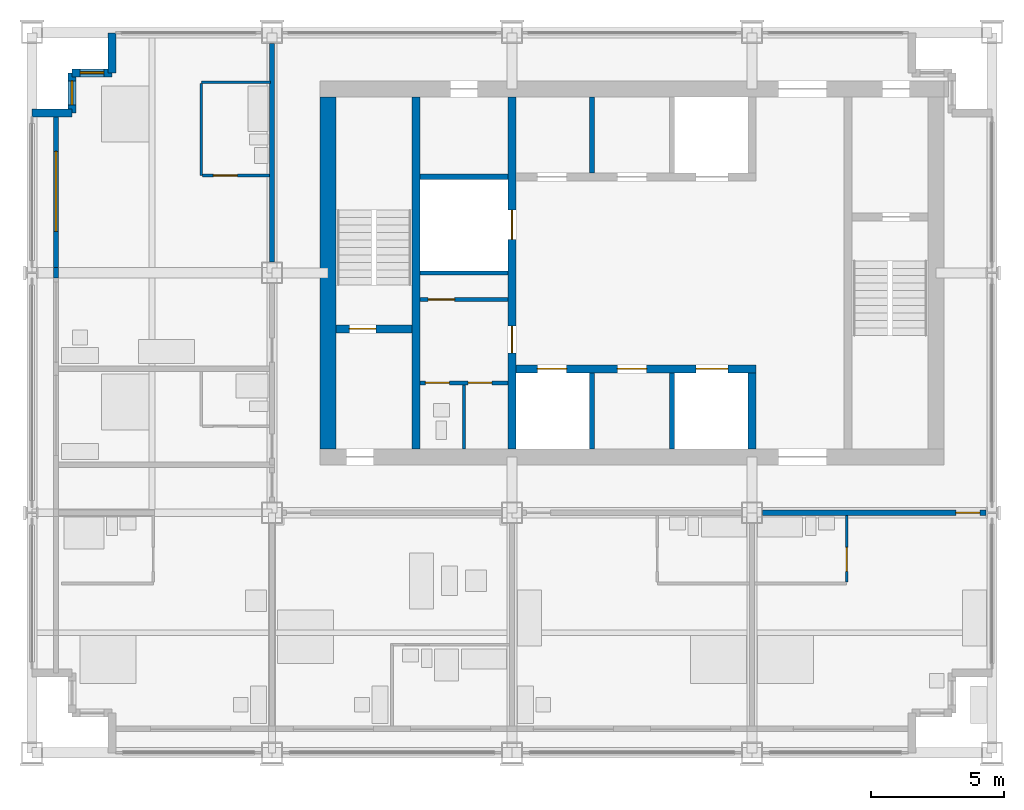
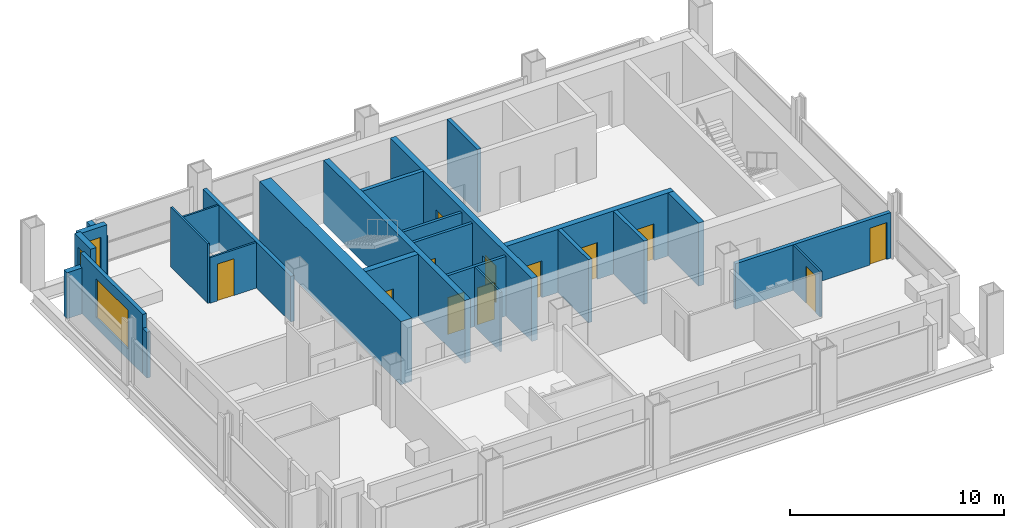
# One storey, part 7 of 11: 26 walls, 12 doors, 3 windows, 15 openings.
"""IFC4 building model written with IfcOpenShell, lengths in metres."""

from ifc_helpers import new_model, si_unit, direction, frame, frame_2d, origin, place, context, subcontext, project, spatial, rectangle, extrude, material, layer, layer_set, type_object, element, fill, save


model = new_model("IFC4")

# Units and contexts
model_context = context("Model", 3, precision=1e-05, world=origin(), true_north=direction((0.0, 1.0)))
body_context = subcontext(model_context, "Body", "Model", "MODEL_VIEW")
ifc_project = project(units=[si_unit("LENGTHUNIT", "METRE"), si_unit("AREAUNIT", "SQUARE_METRE"), si_unit("VOLUMEUNIT", "CUBIC_METRE"), si_unit("PLANEANGLEUNIT", "RADIAN"), si_unit("MASSUNIT", "GRAM", prefix="KILO")], contexts=[model_context])

# Site, building, storey
site_placement = place(None, origin())
site = spatial("IfcSite", under=ifc_project, at=site_placement, CompositionType="ELEMENT")
building_placement = place(site_placement, origin())
building = spatial("IfcBuilding", under=site, at=building_placement, Name="Loomwork Tower", CompositionType="ELEMENT")
storey_placement = place(building_placement, frame((0.0, 0.0, 244.60009765625)))
storey = spatial("IfcBuildingStorey", under=building, at=storey_placement, Name="L67", CompositionType="ELEMENT", Elevation=244.60009765625)

# Wall
ifc_material_1 = material(Name="Concrete 14000 psi (97 MPa)", Category="concrete")
ifc_layer_1 = layer(ifc_material_1, 0.300048828125)
ifc_layer_set_1 = layer_set([ifc_layer_1], Name="Core shear wall 300")
wall_type_1 = type_object("IfcWallType", Name="Core shear wall 300", PredefinedType="SHEAR", material=ifc_layer_set_1)
wall_1_placement = place(storey_placement, frame((14.39990234375, 11.39990234375, 0.0), z_axis=(0.0, 0.0, 1.0), x_axis=(0.0, 1.0, 0.0)))
element("IfcWall", 1, at=wall_1_placement, inside=storey, type_object=wall_type_1, Name="Stair A east wall L67", PredefinedType="SHEAR", context=body_context, shape_type="SweptSolid", body=[
    extrude(rectangle(XDim=13.2001953125, YDim=0.300048828125, at=frame_2d((6.60009765625, 0.0))), origin(), (0.0, 0.0, 1.0), 3.599853515625),
])

# Wall, opening, door
wall_2_placement = place(storey_placement, frame((11.39990234375, 15.89990234375, 0.0), z_axis=(0.0, 0.0, 1.0), x_axis=(1.0, 0.0, 0.0)))
wall_2 = element("IfcWall", 2, at=wall_2_placement, inside=storey, type_object=wall_type_1, Name="Stair A south wall L67", PredefinedType="SHEAR", context=body_context, shape_type="SweptSolid", body=[
    extrude(rectangle(XDim=2.85009765625, YDim=0.300048828125, at=frame_2d((1.425048828125, 0.0))), origin(), (0.0, 0.0, 1.0), 3.599853515625),
])
opening_1_placement = place(wall_2_placement, frame((0.5, 0.0, 0.0)))
opening_1 = element("IfcOpeningElement", 3, at=opening_1_placement, cuts=wall_2, Name="Opening D4", PredefinedType="OPENING", context=body_context, shape_type="SweptSolid", body=[
    extrude(rectangle(XDim=1.0, YDim=2.10009765625, at=frame_2d((0.5, 1.050048828125))), frame((0.0, 0.159912109375, 0.0), z_axis=(0.0, -1.0, 0.0), x_axis=(1.0, 0.0, 0.0)), (0.0, 0.0, 1.0), 0.320068359375),
])
ifc_material_2 = material(Name="Hollow metal door and frame")
door_type_1 = type_object("IfcDoorType", Name="Stair door 1000", OperationType="SINGLE_SWING_RIGHT", PredefinedType="DOOR", material=ifc_material_2)
door_1_placement = place(opening_1_placement, origin())
door_1 = element("IfcDoor", 4, at=door_1_placement, inside=storey, type_object=door_type_1, Name="Stair A door", OperationType="SINGLE_SWING_LEFT", OverallHeight=2.10009765625, OverallWidth=1.0, PredefinedType="DOOR", context=body_context, shape_type="SweptSolid", body=[
    extrude(rectangle(XDim=1.0, YDim=2.10009765625, at=frame_2d((0.5, 1.050048828125))), frame((0.0, 0.02490234375, 0.0), z_axis=(0.0, -1.0, 0.0), x_axis=(1.0, 0.0, 0.0)), (0.0, 0.0, 1.0), 0.050048828125),
])
fill(opening_1, door_1)

# Wall, openings, doors
wall_3_placement = place(storey_placement, frame((18.0, 11.39990234375, 0.0), z_axis=(0.0, 0.0, 1.0), x_axis=(0.0, 1.0, 0.0)))
wall_3 = element("IfcWall", 5, at=wall_3_placement, inside=storey, type_object=wall_type_1, Name="Lobby west wall L67", PredefinedType="SHEAR", context=body_context, shape_type="SweptSolid", body=[
    extrude(rectangle(XDim=13.2001953125, YDim=0.300048828125, at=frame_2d((6.60009765625, 0.0))), origin(), (0.0, 0.0, 1.0), 3.599853515625),
])
opening_2_placement = place(wall_3_placement, frame((3.60009765625, 0.0, 0.0)))
opening_2 = element("IfcOpeningElement", 6, at=opening_2_placement, cuts=wall_3, Name="Opening D5", PredefinedType="OPENING", context=body_context, shape_type="SweptSolid", body=[
    extrude(rectangle(XDim=1.0, YDim=2.10009765625, at=frame_2d((0.5, 1.050048828125))), frame((0.0, 0.159912109375, 0.0), z_axis=(0.0, -1.0, 0.0), x_axis=(1.0, 0.0, 0.0)), (0.0, 0.0, 1.0), 0.320068359375),
])
opening_3_placement = place(wall_3_placement, frame((7.85009765625, 0.0, 0.0)))
opening_3 = element("IfcOpeningElement", 7, at=opening_3_placement, cuts=wall_3, Name="Opening LD1", PredefinedType="OPENING", context=body_context, shape_type="SweptSolid", body=[
    extrude(rectangle(XDim=1.10009765625, YDim=2.10009765625, at=frame_2d((0.550048828125, 1.050048828125))), frame((0.0, 0.159912109375, 0.0), z_axis=(0.0, -1.0, 0.0), x_axis=(1.0, 0.0, 0.0)), (0.0, 0.0, 1.0), 0.320068359375),
])
ifc_material_3 = material(Name="Hollow metal door and frame")
door_type_2 = type_object("IfcDoorType", Name="Lift landing door 1100", OperationType="SLIDING_TO_LEFT", PredefinedType="DOOR", material=ifc_material_3)
door_2_placement = place(opening_3_placement, origin())
door_2 = element("IfcDoor", 8, at=door_2_placement, inside=storey, type_object=door_type_2, Name="Lift landing door LC2", OperationType="SLIDING_TO_LEFT", OverallHeight=2.10009765625, OverallWidth=1.10009765625, PredefinedType="DOOR", context=body_context, shape_type="SweptSolid", body=[
    extrude(rectangle(XDim=1.10009765625, YDim=2.10009765625, at=frame_2d((0.550048828125, 1.050048828125))), frame((0.0, 0.02490234375, 0.0), z_axis=(0.0, -1.0, 0.0), x_axis=(1.0, 0.0, 0.0)), (0.0, 0.0, 1.0), 0.050048828125),
])
fill(opening_3, door_2)
ifc_material_4 = material(Name="Hollow metal door and frame")
door_type_3 = type_object("IfcDoorType", Name="Service door 1000", OperationType="SINGLE_SWING_LEFT", PredefinedType="DOOR", material=ifc_material_4)
door_3_placement = place(opening_2_placement, origin())
door_3 = element("IfcDoor", 9, at=door_3_placement, inside=storey, type_object=door_type_3, Name="Back-of-house door south", OperationType="SINGLE_SWING_LEFT", OverallHeight=2.10009765625, OverallWidth=1.0, PredefinedType="DOOR", context=body_context, shape_type="SweptSolid", body=[
    extrude(rectangle(XDim=1.0, YDim=2.10009765625, at=frame_2d((0.5, 1.050048828125))), frame((0.0, 0.02490234375, 0.0), z_axis=(0.0, -1.0, 0.0), x_axis=(1.0, 0.0, 0.0)), (0.0, 0.0, 1.0), 0.050048828125),
])
fill(opening_2, door_3)

wall_4_placement = place(storey_placement, frame((18.14990234375, 14.39990234375, 0.0), z_axis=(0.0, 0.0, 1.0), x_axis=(1.0, 0.0, 0.0)))
wall_4 = element("IfcWall", 10, at=wall_4_placement, inside=storey, type_object=wall_type_1, Name="Lift front wall south L67", PredefinedType="SHEAR", context=body_context, shape_type="SweptSolid", body=[
    extrude(rectangle(XDim=9.0, YDim=0.300048828125, at=frame_2d((4.5, 0.0))), origin(), (0.0, 0.0, 1.0), 3.599853515625),
])
opening_4_placement = place(wall_4_placement, frame((0.800048828125, 0.0, 0.0)))
opening_4 = element("IfcOpeningElement", 11, at=opening_4_placement, cuts=wall_4, Name="Opening LD1", PredefinedType="OPENING", context=body_context, shape_type="SweptSolid", body=[
    extrude(rectangle(XDim=1.10009765625, YDim=2.10009765625, at=frame_2d((0.550048828125, 1.050048828125))), frame((0.0, 0.159912109375, 0.0), z_axis=(0.0, -1.0, 0.0), x_axis=(1.0, 0.0, 0.0)), (0.0, 0.0, 1.0), 0.320068359375),
])
opening_5_placement = place(wall_4_placement, frame((6.75, 0.0, 0.0)))
opening_5 = element("IfcOpeningElement", 12, at=opening_5_placement, cuts=wall_4, Name="Opening LD2", PredefinedType="OPENING", context=body_context, shape_type="SweptSolid", body=[
    extrude(rectangle(XDim=1.199951171875, YDim=2.10009765625, at=frame_2d((0.60009765625, 1.050048828125))), frame((0.0, 0.159912109375, 0.0), z_axis=(0.0, -1.0, 0.0), x_axis=(1.0, 0.0, 0.0)), (0.0, 0.0, 1.0), 0.320068359375),
])
opening_6_placement = place(wall_4_placement, frame((3.800048828125, 0.0, 0.0)))
opening_6 = element("IfcOpeningElement", 13, at=opening_6_placement, cuts=wall_4, Name="Opening D17", PredefinedType="OPENING", context=body_context, shape_type="SweptSolid", body=[
    extrude(rectangle(XDim=1.10009765625, YDim=2.10009765625, at=frame_2d((0.550048828125, 1.050048828125))), frame((0.0, 0.159912109375, 0.0), z_axis=(0.0, -1.0, 0.0), x_axis=(1.0, 0.0, 0.0)), (0.0, 0.0, 1.0), 0.320068359375),
])
door_4_placement = place(opening_4_placement, origin())
door_4 = element("IfcDoor", 14, at=door_4_placement, inside=storey, type_object=door_type_2, Name="Lift landing door LC1", OperationType="SLIDING_TO_LEFT", OverallHeight=2.10009765625, OverallWidth=1.10009765625, PredefinedType="DOOR", context=body_context, shape_type="SweptSolid", body=[
    extrude(rectangle(XDim=1.10009765625, YDim=2.10009765625, at=frame_2d((0.550048828125, 1.050048828125))), frame((0.0, 0.02490234375, 0.0), z_axis=(0.0, -1.0, 0.0), x_axis=(1.0, 0.0, 0.0)), (0.0, 0.0, 1.0), 0.050048828125),
])
fill(opening_4, door_4)
ifc_material_5 = material(Name="Hollow metal door and frame")
door_type_4 = type_object("IfcDoorType", Name="Lift landing door 1200", OperationType="SLIDING_TO_LEFT", PredefinedType="DOOR", material=ifc_material_5)
door_5_placement = place(opening_5_placement, origin())
door_5 = element("IfcDoor", 15, at=door_5_placement, inside=storey, type_object=door_type_4, Name="Lift landing door LF1", OperationType="SLIDING_TO_LEFT", OverallHeight=2.10009765625, OverallWidth=1.199951171875, PredefinedType="DOOR", context=body_context, shape_type="SweptSolid", body=[
    extrude(rectangle(XDim=1.199951171875, YDim=2.10009765625, at=frame_2d((0.60009765625, 1.050048828125))), frame((0.0, 0.02490234375, 0.0), z_axis=(0.0, -1.0, 0.0), x_axis=(1.0, 0.0, 0.0)), (0.0, 0.0, 1.0), 0.050048828125),
])
fill(opening_5, door_5)
ifc_material_6 = material(Name="Hollow metal door and frame")
door_type_5 = type_object("IfcDoorType", Name="Service room door 1100", OperationType="SINGLE_SWING_LEFT", PredefinedType="DOOR", material=ifc_material_6)
door_6_placement = place(opening_6_placement, frame((1.10009765625, 0.0, 0.0), z_axis=(0.0, 0.0, 1.0), x_axis=(-1.0, 0.0, 0.0)))
door_6 = element("IfcDoor", 16, at=door_6_placement, inside=storey, type_object=door_type_5, Name="Storage room door L67", OperationType="SINGLE_SWING_RIGHT", OverallHeight=2.10009765625, OverallWidth=1.10009765625, PredefinedType="DOOR", context=body_context, shape_type="SweptSolid", body=[
    extrude(rectangle(XDim=1.10009765625, YDim=2.10009765625, at=frame_2d((0.550048828125, 1.050048828125))), frame((0.0, 0.02490234375, 0.0), z_axis=(0.0, -1.0, 0.0), x_axis=(1.0, 0.0, 0.0)), (0.0, 0.0, 1.0), 0.050048828125),
])
fill(opening_6, door_6)

# Walls
wall_5_placement = place(storey_placement, frame((27.0, 11.39990234375, 0.0), z_axis=(0.0, 0.0, 1.0), x_axis=(0.0, 1.0, 0.0)))
element("IfcWall", 17, at=wall_5_placement, inside=storey, type_object=wall_type_1, Name="Lift shaft end wall south L67", PredefinedType="SHEAR", context=body_context, shape_type="SweptSolid", body=[
    extrude(rectangle(XDim=2.85009765625, YDim=0.300048828125, at=frame_2d((1.425048828125, 0.0))), origin(), (0.0, 0.0, 1.0), 3.599853515625),
])
ifc_material_7 = material(Name="Concrete 14000 psi (97 MPa)", Category="concrete")
ifc_layer_2 = layer(ifc_material_7, 0.60009765625)
ifc_layer_set_2 = layer_set([ifc_layer_2], Name="Core shear wall 600")
wall_type_2 = type_object("IfcWallType", Name="Core shear wall 600", PredefinedType="SHEAR", material=ifc_layer_set_2)
wall_6_placement = place(storey_placement, frame((11.10009765625, 11.39990234375, 0.0), z_axis=(0.0, 0.0, 1.0), x_axis=(0.0, 1.0, 0.0)))
element("IfcWall", 18, at=wall_6_placement, inside=storey, type_object=wall_type_2, Name="Core wall west L67", PredefinedType="SHEAR", context=body_context, shape_type="SweptSolid", body=[
    extrude(rectangle(XDim=13.2001953125, YDim=0.60009765625, at=frame_2d((6.60009765625, 0.0))), origin(), (0.0, 0.0, 1.0), 3.599853515625),
])

# Wall, opening, door
ifc_material_8 = material(Name="Gypsum board on steel studs, one-hour", Category="steel")
ifc_layer_3 = layer(ifc_material_8, 0.199951171875)
ifc_layer_set_3 = layer_set([ifc_layer_3], Name="Corridor wall 200")
wall_type_3 = type_object("IfcWallType", Name="Corridor wall 200", PredefinedType="PARTITIONING", material=ifc_layer_set_3)
wall_7_placement = place(storey_placement, frame((27.39990234375, 9.0, 0.0), z_axis=(0.0, 0.0, 1.0), x_axis=(1.0, 0.0, 0.0)))
wall_7 = element("IfcWall", 19, at=wall_7_placement, inside=storey, type_object=wall_type_3, Name="South corridor wall 4", PredefinedType="PARTITIONING", context=body_context, shape_type="SweptSolid", body=[
    extrude(rectangle(XDim=8.36767578125, YDim=0.199951171875, at=frame_2d((4.183837890625, 0.0))), origin(), (0.0, 0.0, 1.0), 2.60498046875),
])
opening_7_placement = place(wall_7_placement, frame((7.25, 0.0, 0.0)))
opening_7 = element("IfcOpeningElement", 20, at=opening_7_placement, cuts=wall_7, Name="Opening D1", PredefinedType="OPENING", context=body_context, shape_type="SweptSolid", body=[
    extrude(rectangle(XDim=0.89990234375, YDim=2.10009765625, at=frame_2d((0.449951171875, 1.050048828125))), frame((0.0, 0.10986328125, 0.0), z_axis=(0.0, -1.0, 0.0), x_axis=(1.0, 0.0, 0.0)), (0.0, 0.0, 1.0), 0.219970703125),
])
ifc_material_9 = material(Name="Hollow metal door and frame")
door_type_6 = type_object("IfcDoorType", Name="Guest room entry door 900", OperationType="SINGLE_SWING_LEFT", PredefinedType="DOOR", material=ifc_material_9)
door_7_placement = place(opening_7_placement, frame((0.89990234375, 0.0, 0.0), z_axis=(0.0, 0.0, 1.0), x_axis=(-1.0, 0.0, 0.0)))
door_7 = element("IfcDoor", 21, at=door_7_placement, inside=storey, type_object=door_type_6, Name="Guest room entry door L67 4", OperationType="SINGLE_SWING_RIGHT", OverallHeight=2.10009765625, OverallWidth=0.89990234375, PredefinedType="DOOR", context=body_context, shape_type="SweptSolid", body=[
    extrude(rectangle(XDim=0.89990234375, YDim=2.10009765625, at=frame_2d((0.449951171875, 1.050048828125))), frame((0.0, 0.02490234375, 0.0), z_axis=(0.0, -1.0, 0.0), x_axis=(1.0, 0.0, 0.0)), (0.0, 0.0, 1.0), 0.050048828125),
])
fill(opening_7, door_7)

# Wall
wall_8_placement = place(storey_placement, frame((9.0, 18.39990234375, 0.0), z_axis=(0.0, 0.0, 1.0), x_axis=(0.0, 1.0, 0.0)))
element("IfcWall", 22, at=wall_8_placement, inside=storey, type_object=wall_type_3, Name="West corridor wall 2", PredefinedType="PARTITIONING", context=body_context, shape_type="SweptSolid", body=[
    extrude(rectangle(XDim=8.2001953125, YDim=0.199951171875, at=frame_2d((4.10009765625, 0.0))), origin(), (0.0, 0.0, 1.0), 2.60498046875),
])

# Wall, opening, door
ifc_material_10 = material(Name="Cement board on steel studs", Category="steel")
ifc_layer_4 = layer(ifc_material_10, 0.10009765625)
ifc_layer_set_4 = layer_set([ifc_layer_4], Name="En-suite partition 100")
wall_type_4 = type_object("IfcWallType", Name="En-suite partition 100", PredefinedType="PARTITIONING", material=ifc_layer_set_4)
wall_9_placement = place(storey_placement, frame((30.550048828125, 8.89990234375, 0.0), z_axis=(0.0, 0.0, 1.0), x_axis=(0.0, -1.0, 0.0)))
wall_9 = element("IfcWall", 23, at=wall_9_placement, inside=storey, type_object=wall_type_4, Name="En-suite side wall L67 room 4", PredefinedType="PARTITIONING", context=body_context, shape_type="SweptSolid", body=[
    extrude(rectangle(XDim=2.5, YDim=0.10009765625, at=frame_2d((1.25, 0.0))), origin(), (0.0, 0.0, 1.0), 2.60400390625),
])
opening_8_placement = place(wall_9_placement, frame((1.199951171875, 0.0, 0.0)))
opening_8 = element("IfcOpeningElement", 24, at=opening_8_placement, cuts=wall_9, Name="Opening D2", PredefinedType="OPENING", context=body_context, shape_type="SweptSolid", body=[
    extrude(rectangle(XDim=0.89990234375, YDim=2.10009765625, at=frame_2d((0.449951171875, 1.050048828125))), frame((0.0, 0.06005859375, 0.0), z_axis=(0.0, -1.0, 0.0), x_axis=(1.0, 0.0, 0.0)), (0.0, 0.0, 1.0), 0.1201171875),
])
ifc_material_11 = material(Name="Hollow metal door and frame")
door_type_7 = type_object("IfcDoorType", Name="En-suite door 900", OperationType="SINGLE_SWING_LEFT", PredefinedType="DOOR", material=ifc_material_11)
door_8_placement = place(opening_8_placement, frame((0.89990234375, 0.0, 0.0), z_axis=(0.0, 0.0, 1.0), x_axis=(-1.0, 0.0, 0.0)))
door_8 = element("IfcDoor", 25, at=door_8_placement, inside=storey, type_object=door_type_7, Name="En-suite door room 4", OperationType="SINGLE_SWING_LEFT", OverallHeight=2.10009765625, OverallWidth=0.89990234375, PredefinedType="DOOR", context=body_context, shape_type="SweptSolid", body=[
    extrude(rectangle(XDim=0.89990234375, YDim=2.10009765625, at=frame_2d((0.449951171875, 1.050048828125))), frame((0.0, 0.02490234375, 0.0), z_axis=(0.0, -1.0, 0.0), x_axis=(1.0, 0.0, 0.0)), (0.0, 0.0, 1.0), 0.050048828125),
])
fill(opening_8, door_8)

# Wall
wall_10_placement = place(storey_placement, frame((6.35009765625, 21.64990234375, 0.0), z_axis=(0.0, 0.0, 1.0), x_axis=(0.0, 1.0, 0.0)))
element("IfcWall", 26, at=wall_10_placement, inside=storey, type_object=wall_type_4, Name="En-suite wall L67 room 6", PredefinedType="PARTITIONING", context=body_context, shape_type="SweptSolid", body=[
    extrude(rectangle(XDim=3.4501953125, YDim=0.10009765625, at=frame_2d((1.72509765625, 0.0))), origin(), (0.0, 0.0, 1.0), 3.39990234375),
])

# Wall, opening, door
wall_11_placement = place(storey_placement, frame((8.89990234375, 21.64990234375, 0.0), z_axis=(0.0, 0.0, 1.0), x_axis=(-1.0, 0.0, 0.0)))
wall_11 = element("IfcWall", 27, at=wall_11_placement, inside=storey, type_object=wall_type_4, Name="En-suite side wall L67 room 6", PredefinedType="PARTITIONING", context=body_context, shape_type="SweptSolid", body=[
    extrude(rectangle(XDim=2.5, YDim=0.10009765625, at=frame_2d((1.25, 0.0))), origin(), (0.0, 0.0, 1.0), 2.60400390625),
])
opening_9_placement = place(wall_11_placement, frame((1.199951171875, 0.0, 0.0)))
opening_9 = element("IfcOpeningElement", 28, at=opening_9_placement, cuts=wall_11, Name="Opening D2", PredefinedType="OPENING", context=body_context, shape_type="SweptSolid", body=[
    extrude(rectangle(XDim=0.89990234375, YDim=2.10009765625, at=frame_2d((0.449951171875, 1.050048828125))), frame((0.0, 0.06005859375, 0.0), z_axis=(0.0, -1.0, 0.0), x_axis=(1.0, 0.0, 0.0)), (0.0, 0.0, 1.0), 0.1201171875),
])
door_9_placement = place(opening_9_placement, frame((0.89990234375, 0.0, 0.0), z_axis=(0.0, 0.0, 1.0), x_axis=(-1.0, 0.0, 0.0)))
door_9 = element("IfcDoor", 29, at=door_9_placement, inside=storey, type_object=door_type_7, Name="En-suite door room 6", OperationType="SINGLE_SWING_LEFT", OverallHeight=2.10009765625, OverallWidth=0.89990234375, PredefinedType="DOOR", context=body_context, shape_type="SweptSolid", body=[
    extrude(rectangle(XDim=0.89990234375, YDim=2.10009765625, at=frame_2d((0.449951171875, 1.050048828125))), frame((0.0, 0.02490234375, 0.0), z_axis=(0.0, -1.0, 0.0), x_axis=(1.0, 0.0, 0.0)), (0.0, 0.0, 1.0), 0.050048828125),
])
fill(opening_9, door_9)

# Walls
wall_12_placement = place(storey_placement, frame((6.35009765625, 25.14990234375, 0.0), z_axis=(0.0, 0.0, 1.0), x_axis=(1.0, 0.0, 0.0)))
element("IfcWall", 30, at=wall_12_placement, inside=storey, type_object=wall_type_4, Name="En-suite wall L67 stub", PredefinedType="PARTITIONING", context=body_context, shape_type="SweptSolid", body=[
    extrude(rectangle(XDim=2.599853515625, YDim=0.10009765625, at=frame_2d((1.2998046875, 0.0))), origin(), (0.0, 0.0, 1.0), 2.60400390625),
])
wall_13_placement = place(storey_placement, frame((16.199951171875, 11.39990234375, 0.0), z_axis=(0.0, 0.0, 1.0), x_axis=(0.0, 1.0, 0.0)))
element("IfcWall", 31, at=wall_13_placement, inside=storey, type_object=wall_type_4, Name="Back-of-house partition L67 2", PredefinedType="PARTITIONING", context=body_context, shape_type="SweptSolid", body=[
    extrude(rectangle(XDim=2.400146484375, YDim=0.10009765625, at=frame_2d((1.2001953125, 0.0))), origin(), (0.0, 0.0, 1.0), 3.39990234375),
])
ifc_material_12 = material(Name="Insulated steel stud wall with gypsum lining", Category="steel")
ifc_layer_5 = layer(ifc_material_12, 0.199951171875)
ifc_layer_set_5 = layer_set([ifc_layer_5], Name="Inner skin wall 200")
wall_type_5 = type_object("IfcWallType", Name="Inner skin wall 200", PredefinedType="SOLIDWALL", material=ifc_layer_set_5)
wall_14_placement = place(storey_placement, frame((0.89990234375, 17.80615234375, 0.0), z_axis=(0.0, 0.0, 1.0), x_axis=(0.0, 1.0, 0.0)))
element("IfcWall", 32, at=wall_14_placement, inside=storey, type_object=wall_type_5, Name="Inner skin wall W bay 6", PredefinedType="SOLIDWALL", context=body_context, shape_type="SweptSolid", body=[
    extrude(rectangle(XDim=0.3876953125, YDim=0.199951171875, at=frame_2d((0.19384765625, 0.0))), origin(), (0.0, 0.0, 1.0), 2.60400390625),
])

# Wall, opening, window
wall_15_placement = place(storey_placement, frame((0.89990234375, 18.19384765625, 0.0), z_axis=(0.0, 0.0, 1.0), x_axis=(0.0, 1.0, 0.0)))
wall_15 = element("IfcWall", 33, at=wall_15_placement, inside=storey, type_object=wall_type_5, Name="Inner skin wall W bay 7", PredefinedType="SOLIDWALL", context=body_context, shape_type="SweptSolid", body=[
    extrude(rectangle(XDim=5.80615234375, YDim=0.199951171875, at=frame_2d((2.903076171875, 0.0))), origin(), (0.0, 0.0, 1.0), 3.39990234375),
])
opening_10_placement = place(wall_15_placement, frame((1.356201171875, 0.0, 0.60009765625)))
opening_10 = element("IfcOpeningElement", 34, at=opening_10_placement, cuts=wall_15, Name="Opening CH1", PredefinedType="OPENING", context=body_context, shape_type="SweptSolid", body=[
    extrude(rectangle(XDim=3.0, YDim=2.199951171875, at=frame_2d((1.5, 1.10009765625))), frame((0.0, 0.10986328125, 0.0), z_axis=(0.0, -1.0, 0.0), x_axis=(1.0, 0.0, 0.0)), (0.0, 0.0, 1.0), 0.219970703125),
])
ifc_material_13 = material(Name="Aluminium frame with clear insulated glass", Category="aluminium")
window_type_1 = type_object("IfcWindowType", Name="Chicago window 3000", PartitioningType="TRIPLE_PANEL_VERTICAL", PredefinedType="WINDOW", material=ifc_material_13)
window_1_placement = place(opening_10_placement, origin())
window_1 = element("IfcWindow", 35, at=window_1_placement, inside=storey, type_object=window_type_1, Name="Chicago window L67 bay 6", OverallHeight=2.199951171875, OverallWidth=3.0, PartitioningType="TRIPLE_PANEL_VERTICAL", PredefinedType="WINDOW", context=body_context, shape_type="SweptSolid", body=[
    extrude(rectangle(XDim=3.0, YDim=2.199951171875, at=frame_2d((1.5, 1.10009765625))), frame((0.0, 0.030029296875, 0.0), z_axis=(0.0, -1.0, 0.0), x_axis=(1.0, 0.0, 0.0)), (0.0, 0.0, 1.0), 0.06005859375),
])
fill(opening_10, window_1)

# Walls
ifc_material_14 = material(Name="Concrete 14000 psi (97 MPa)", Category="concrete")
ifc_layer_6 = layer(ifc_material_14, 0.199951171875)
ifc_layer_set_6 = layer_set([ifc_layer_6], Name="Lift shaft wall 200")
wall_type_6 = type_object("IfcWallType", Name="Lift shaft wall 200", PredefinedType="SHEAR", material=ifc_layer_set_6)
for number, where, z_axis, x_axis, name in (
    (36, (21.0, 11.39990234375, 0.0), (0.0, 0.0, 1.0), (0.0, 1.0, 0.0), "Lift shaft separation wall south 1 L67"),
    (37, (24.0, 11.39990234375, 0.0), (0.0, 0.0, 1.0), (0.0, 1.0, 0.0), "Lift shaft separation wall south 2 L67"),
    (38, (21.0, 21.75, 0.0), (0.0, 0.0, 1.0), (0.0, 1.0, 0.0), "Lift shaft separation wall north 1 L67"),
):
    element("IfcWall", number, at=place(storey_placement, frame(where, z_axis=z_axis, x_axis=x_axis)), inside=storey, type_object=wall_type_6, Name=name, PredefinedType="SHEAR", context=body_context, shape_type="SweptSolid", body=[
        extrude(rectangle(XDim=2.85009765625, YDim=0.199951171875, at=frame_2d((1.425048828125, 0.0))), origin(), (0.0, 0.0, 1.0), 3.599853515625),
    ])
wall_16_placement = place(storey_placement, frame((14.550048828125, 21.60009765625, 0.0), z_axis=(0.0, 0.0, 1.0), x_axis=(1.0, 0.0, 0.0)))
element("IfcWall", 39, at=wall_16_placement, inside=storey, type_object=wall_type_6, Name="Lift shaft wall west north L67", PredefinedType="SHEAR", context=body_context, shape_type="SweptSolid", body=[
    extrude(rectangle(XDim=3.300048828125, YDim=0.199951171875, at=frame_2d((1.64990234375, 0.0))), origin(), (0.0, 0.0, 1.0), 3.599853515625),
])
ifc_material_15 = material(Name="Limestone on concrete masonry", Category="masonry")
ifc_layer_7 = layer(ifc_material_15, 0.300048828125)
ifc_layer_set_7 = layer_set([ifc_layer_7], Name="Limestone corner wall 300")
wall_type_7 = type_object("IfcWallType", Name="Limestone corner wall 300", PredefinedType="SOLIDWALL", material=ifc_layer_set_7)
wall_17_placement = place(storey_placement, frame((3.0, 27.0, 0.0), z_axis=(0.0, 0.0, 1.0), x_axis=(0.0, -1.0, 0.0)))
element("IfcWall", 40, at=wall_17_placement, inside=storey, type_object=wall_type_7, Name="Stone corner wall NW 1", PredefinedType="SOLIDWALL", context=body_context, shape_type="SweptSolid", body=[
    extrude(rectangle(XDim=1.5, YDim=0.300048828125, at=frame_2d((0.75, 0.0))), origin(), (0.0, 0.0, 1.0), 2.619873046875),
])

# Wall, opening, window
wall_18_placement = place(storey_placement, frame((3.0, 25.5, 0.0), z_axis=(0.0, 0.0, 1.0), x_axis=(-1.0, 0.0, 0.0)))
wall_18 = element("IfcWall", 41, at=wall_18_placement, inside=storey, type_object=wall_type_7, Name="Stone corner wall NW 2", PredefinedType="SOLIDWALL", context=body_context, shape_type="SweptSolid", body=[
    extrude(rectangle(XDim=1.5, YDim=0.300048828125, at=frame_2d((0.75, 0.0))), origin(), (0.0, 0.0, 1.0), 3.39990234375),
])
opening_11_placement = place(wall_18_placement, frame((0.300048828125, 0.0, 0.60009765625)))
opening_11 = element("IfcOpeningElement", 42, at=opening_11_placement, cuts=wall_18, Name="Opening CH2", PredefinedType="OPENING", context=body_context, shape_type="SweptSolid", body=[
    extrude(rectangle(XDim=0.89990234375, YDim=2.199951171875, at=frame_2d((0.449951171875, 1.10009765625))), frame((0.0, 0.159912109375, 0.0), z_axis=(0.0, -1.0, 0.0), x_axis=(1.0, 0.0, 0.0)), (0.0, 0.0, 1.0), 0.320068359375),
])
ifc_material_16 = material(Name="Aluminium frame with clear insulated glass", Category="aluminium")
window_type_2 = type_object("IfcWindowType", Name="Corner window 900", PartitioningType="SINGLE_PANEL", PredefinedType="WINDOW", material=ifc_material_16)
window_2_placement = place(opening_11_placement, origin())
window_2 = element("IfcWindow", 43, at=window_2_placement, inside=storey, type_object=window_type_2, Name="Corner window NW", OverallHeight=2.199951171875, OverallWidth=0.89990234375, PartitioningType="SINGLE_PANEL", PredefinedType="WINDOW", context=body_context, shape_type="SweptSolid", body=[
    extrude(rectangle(XDim=0.89990234375, YDim=2.199951171875, at=frame_2d((0.449951171875, 1.10009765625))), frame((0.0, 0.030029296875, 0.0), z_axis=(0.0, -1.0, 0.0), x_axis=(1.0, 0.0, 0.0)), (0.0, 0.0, 1.0), 0.06005859375),
])
fill(opening_11, window_2)

wall_19_placement = place(storey_placement, frame((1.5, 25.5, 0.0), z_axis=(0.0, 0.0, 1.0), x_axis=(0.0, -1.0, 0.0)))
wall_19 = element("IfcWall", 44, at=wall_19_placement, inside=storey, type_object=wall_type_7, Name="Stone corner wall NW 3", PredefinedType="SOLIDWALL", context=body_context, shape_type="SweptSolid", body=[
    extrude(rectangle(XDim=1.5, YDim=0.300048828125, at=frame_2d((0.75, 0.0))), origin(), (0.0, 0.0, 1.0), 3.39990234375),
])
opening_12_placement = place(wall_19_placement, frame((0.300048828125, 0.0, 0.60009765625)))
opening_12 = element("IfcOpeningElement", 45, at=opening_12_placement, cuts=wall_19, Name="Opening CH2", PredefinedType="OPENING", context=body_context, shape_type="SweptSolid", body=[
    extrude(rectangle(XDim=0.89990234375, YDim=2.199951171875, at=frame_2d((0.449951171875, 1.10009765625))), frame((0.0, 0.159912109375, 0.0), z_axis=(0.0, -1.0, 0.0), x_axis=(1.0, 0.0, 0.0)), (0.0, 0.0, 1.0), 0.320068359375),
])
window_3_placement = place(opening_12_placement, origin())
window_3 = element("IfcWindow", 46, at=window_3_placement, inside=storey, type_object=window_type_2, Name="Corner window NW", OverallHeight=2.199951171875, OverallWidth=0.89990234375, PartitioningType="SINGLE_PANEL", PredefinedType="WINDOW", context=body_context, shape_type="SweptSolid", body=[
    extrude(rectangle(XDim=0.89990234375, YDim=2.199951171875, at=frame_2d((0.449951171875, 1.10009765625))), frame((0.0, 0.030029296875, 0.0), z_axis=(0.0, -1.0, 0.0), x_axis=(1.0, 0.0, 0.0)), (0.0, 0.0, 1.0), 0.06005859375),
])
fill(opening_12, window_3)

# Walls
wall_20_placement = place(storey_placement, frame((1.5, 24.0, 0.0), z_axis=(0.0, 0.0, 1.0), x_axis=(-1.0, 0.0, 0.0)))
element("IfcWall", 47, at=wall_20_placement, inside=storey, type_object=wall_type_7, Name="Stone corner wall NW 4", PredefinedType="SOLIDWALL", context=body_context, shape_type="SweptSolid", body=[
    extrude(rectangle(XDim=1.5, YDim=0.300048828125, at=frame_2d((0.75, 0.0))), origin(), (0.0, 0.0, 1.0), 2.619873046875),
])
ifc_material_17 = material(Name="Gypsum board on steel studs", Category="steel")
ifc_layer_8 = layer(ifc_material_17, 0.14990234375)
ifc_layer_set_8 = layer_set([ifc_layer_8], Name="Partition 150 two-hour")
wall_type_8 = type_object("IfcWallType", Name="Partition 150 two-hour", PredefinedType="PARTITIONING", material=ifc_layer_set_8)
wall_21_placement = place(storey_placement, frame((14.550048828125, 18.0, 0.0), z_axis=(0.0, 0.0, 1.0), x_axis=(1.0, 0.0, 0.0)))
element("IfcWall", 48, at=wall_21_placement, inside=storey, type_object=wall_type_8, Name="Back-of-house dividing wall L67", PredefinedType="PARTITIONING", context=body_context, shape_type="SweptSolid", body=[
    extrude(rectangle(XDim=3.300048828125, YDim=0.14990234375, at=frame_2d((1.64990234375, 0.0))), origin(), (0.0, 0.0, 1.0), 3.39990234375),
])

# Wall, opening, door
ifc_material_18 = material(Name="Gypsum board on steel studs, one-hour", Category="steel")
ifc_layer_9 = layer(ifc_material_18, 0.14990234375)
ifc_layer_set_9 = layer_set([ifc_layer_9], Name="Service partition 150")
wall_type_9 = type_object("IfcWallType", Name="Service partition 150", PredefinedType="PARTITIONING", material=ifc_layer_set_9)
wall_22_placement = place(storey_placement, frame((14.550048828125, 17.0, 0.0), z_axis=(0.0, 0.0, 1.0), x_axis=(1.0, 0.0, 0.0)))
wall_22 = element("IfcWall", 49, at=wall_22_placement, inside=storey, type_object=wall_type_9, Name="Riser enclosure L67", PredefinedType="PARTITIONING", context=body_context, shape_type="SweptSolid", body=[
    extrude(rectangle(XDim=3.300048828125, YDim=0.14990234375, at=frame_2d((1.64990234375, 0.0))), origin(), (0.0, 0.0, 1.0), 3.39990234375),
])
opening_13_placement = place(wall_22_placement, frame((0.300048828125, 0.0, 0.0)))
opening_13 = element("IfcOpeningElement", 50, at=opening_13_placement, cuts=wall_22, Name="Opening D18", PredefinedType="OPENING", context=body_context, shape_type="SweptSolid", body=[
    extrude(rectangle(XDim=1.0, YDim=2.10009765625, at=frame_2d((0.5, 1.050048828125))), frame((0.0, 0.0849609375, 0.0), z_axis=(0.0, -1.0, 0.0), x_axis=(1.0, 0.0, 0.0)), (0.0, 0.0, 1.0), 0.169921875),
])
ifc_material_19 = material(Name="Hollow metal door and frame")
door_type_8 = type_object("IfcDoorType", Name="Ninety-minute service door 1000", OperationType="SINGLE_SWING_LEFT", PredefinedType="DOOR", material=ifc_material_19)
door_10_placement = place(opening_13_placement, frame((1.0, 0.0, 0.0), z_axis=(0.0, 0.0, 1.0), x_axis=(-1.0, 0.0, 0.0)))
door_10 = element("IfcDoor", 51, at=door_10_placement, inside=storey, type_object=door_type_8, Name="Riser access door", OperationType="SINGLE_SWING_RIGHT", OverallHeight=2.10009765625, OverallWidth=1.0, PredefinedType="DOOR", context=body_context, shape_type="SweptSolid", body=[
    extrude(rectangle(XDim=1.0, YDim=2.10009765625, at=frame_2d((0.5, 1.050048828125))), frame((0.0, 0.02490234375, 0.0), z_axis=(0.0, -1.0, 0.0), x_axis=(1.0, 0.0, 0.0)), (0.0, 0.0, 1.0), 0.050048828125),
])
fill(opening_13, door_10)

# Wall, openings, doors
wall_23_placement = place(storey_placement, frame((14.550048828125, 13.875, 0.0), z_axis=(0.0, 0.0, 1.0), x_axis=(1.0, 0.0, 0.0)))
wall_23 = element("IfcWall", 52, at=wall_23_placement, inside=storey, type_object=wall_type_9, Name="Back-of-house partition L67", PredefinedType="PARTITIONING", context=body_context, shape_type="SweptSolid", body=[
    extrude(rectangle(XDim=3.300048828125, YDim=0.14990234375, at=frame_2d((1.64990234375, 0.0))), origin(), (0.0, 0.0, 1.0), 3.39990234375),
])
opening_14_placement = place(wall_23_placement, frame((0.199951171875, 0.0, 0.0)))
opening_14 = element("IfcOpeningElement", 53, at=opening_14_placement, cuts=wall_23, Name="Opening D20", PredefinedType="OPENING", context=body_context, shape_type="SweptSolid", body=[
    extrude(rectangle(XDim=0.89990234375, YDim=2.10009765625, at=frame_2d((0.449951171875, 1.050048828125))), frame((0.0, 0.0849609375, 0.0), z_axis=(0.0, -1.0, 0.0), x_axis=(1.0, 0.0, 0.0)), (0.0, 0.0, 1.0), 0.169921875),
])
opening_15_placement = place(wall_23_placement, frame((1.800048828125, 0.0, 0.0)))
opening_15 = element("IfcOpeningElement", 54, at=opening_15_placement, cuts=wall_23, Name="Opening D20", PredefinedType="OPENING", context=body_context, shape_type="SweptSolid", body=[
    extrude(rectangle(XDim=0.89990234375, YDim=2.10009765625, at=frame_2d((0.449951171875, 1.050048828125))), frame((0.0, 0.0849609375, 0.0), z_axis=(0.0, -1.0, 0.0), x_axis=(1.0, 0.0, 0.0)), (0.0, 0.0, 1.0), 0.169921875),
])
ifc_material_20 = material(Name="Hollow metal door and frame")
door_type_9 = type_object("IfcDoorType", Name="Back-of-house door 900", OperationType="SINGLE_SWING_LEFT", PredefinedType="DOOR", material=ifc_material_20)
door_11_placement = place(opening_14_placement, frame((0.89990234375, 0.0, 0.0), z_axis=(0.0, 0.0, 1.0), x_axis=(-1.0, 0.0, 0.0)))
door_11 = element("IfcDoor", 55, at=door_11_placement, inside=storey, type_object=door_type_9, Name="Back-of-house room door", OperationType="SINGLE_SWING_RIGHT", OverallHeight=2.10009765625, OverallWidth=0.89990234375, PredefinedType="DOOR", context=body_context, shape_type="SweptSolid", body=[
    extrude(rectangle(XDim=0.89990234375, YDim=2.10009765625, at=frame_2d((0.449951171875, 1.050048828125))), frame((0.0, 0.02490234375, 0.0), z_axis=(0.0, -1.0, 0.0), x_axis=(1.0, 0.0, 0.0)), (0.0, 0.0, 1.0), 0.050048828125),
])
fill(opening_14, door_11)
door_12_placement = place(opening_15_placement, frame((0.89990234375, 0.0, 0.0), z_axis=(0.0, 0.0, 1.0), x_axis=(-1.0, 0.0, 0.0)))
door_12 = element("IfcDoor", 56, at=door_12_placement, inside=storey, type_object=door_type_9, Name="Back-of-house room door", OperationType="SINGLE_SWING_RIGHT", OverallHeight=2.10009765625, OverallWidth=0.89990234375, PredefinedType="DOOR", context=body_context, shape_type="SweptSolid", body=[
    extrude(rectangle(XDim=0.89990234375, YDim=2.10009765625, at=frame_2d((0.449951171875, 1.050048828125))), frame((0.0, 0.02490234375, 0.0), z_axis=(0.0, -1.0, 0.0), x_axis=(1.0, 0.0, 0.0)), (0.0, 0.0, 1.0), 0.050048828125),
])
fill(opening_15, door_12)

save(model, "model.ifc")
